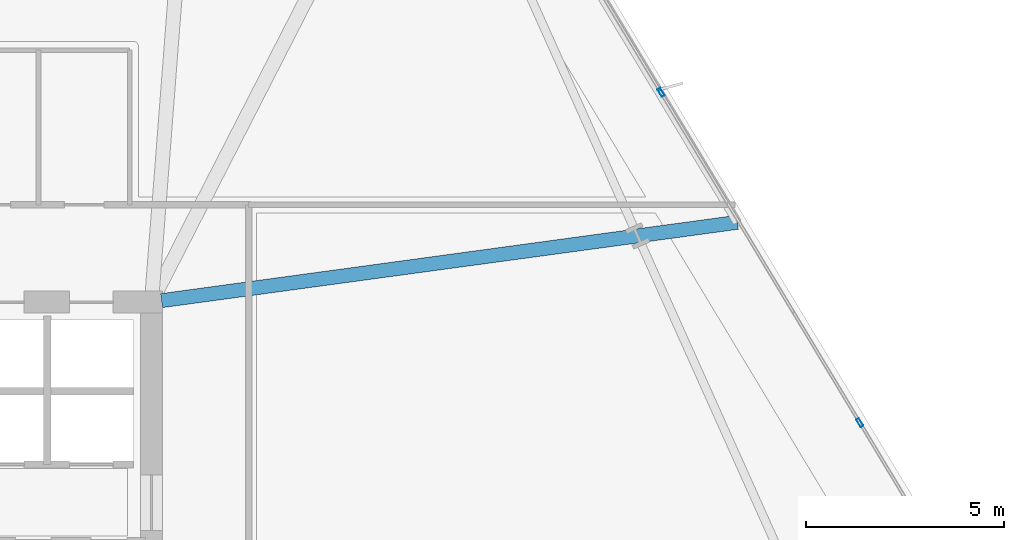
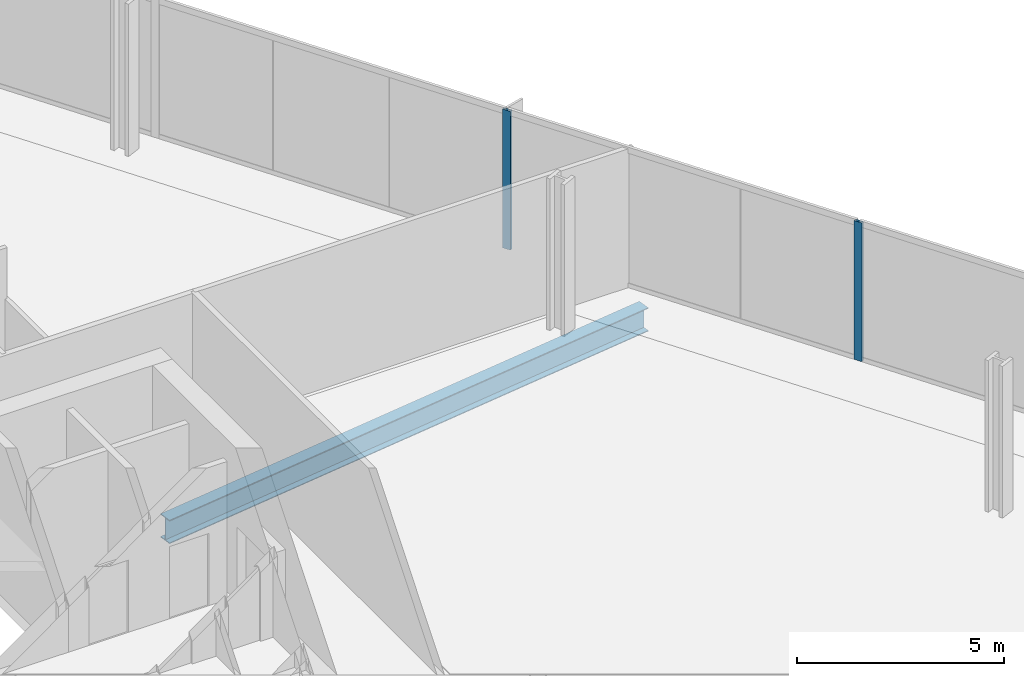
# One storey, part 17 of 30: 2 members, 1 beam, 1 element without a shape of its own.
"""IFC4 building model written with IfcOpenShell, lengths in metres."""

from ifc_helpers import new_model, si_unit, direction, frame, origin, origin_2d, place, context, subcontext, project, spatial, hollow_rectangle, i_section, extrude, material, material_profile, profile_set, type_object, element, aggregate, save


model = new_model("IFC4")

# Units and contexts
model_context = context("Model", 3, precision=1e-05, world=origin(), true_north=direction((0.0, 1.0)))
body_context = subcontext(model_context, "Body", "Model", "MODEL_VIEW")
ifc_project = project(units=[si_unit("LENGTHUNIT", "METRE"), si_unit("AREAUNIT", "SQUARE_METRE"), si_unit("VOLUMEUNIT", "CUBIC_METRE"), si_unit("PLANEANGLEUNIT", "RADIAN"), si_unit("MASSUNIT", "GRAM", prefix="KILO")], contexts=[model_context])

# Site, building, storey
site_placement = place(None, origin())
site = spatial("IfcSite", under=ifc_project, at=site_placement, CompositionType="ELEMENT")
building_placement = place(site_placement, origin())
building = spatial("IfcBuilding", under=site, at=building_placement, Name="Haldenkirk Collegiate Tower", CompositionType="ELEMENT")
storey_placement = place(building_placement, frame((0.0, 0.0, 131.699951171875)))
storey = spatial("IfcBuildingStorey", under=building, at=storey_placement, Name="L32", CompositionType="ELEMENT", Elevation=131.699951171875)

# Beam
ifc_material_1 = material(Name="Steel ASTM A992 Grade 50", Category="steel")
ifc_material_profile_1 = material_profile(ifc_material_1, i_section(OverallWidth=0.35498046875, OverallDepth=0.696044921875, WebThickness=0.015380859375, FlangeThickness=0.02490234375, at=origin_2d()), Name="W27X146")
ifc_profile_set_1 = profile_set([ifc_material_profile_1], Name="Steel ASTM A992 Grade 50")
beam_type = type_object("IfcBeamType", Name="BM-GIRDER-W27X146", PredefinedType="BEAM", material=ifc_profile_set_1)
beam_placement = place(storey_placement, frame((59.7734375, 36.009765625, -0.697998046875), z_axis=(-0.990873607858, -0.134794262676, 0.0), x_axis=(0.134794262676, -0.990873607858, 0.0)))
element("IfcBeam", 1, at=beam_placement, inside=storey, type_object=beam_type, Name="L32 primary floor girder 09", PredefinedType="BEAM", context=body_context, shape_type="SweptSolid", body=[
    extrude(i_section(OverallWidth=0.35498046875, OverallDepth=0.696044921875, WebThickness=0.015380859375, FlangeThickness=0.02490234375, at=origin_2d()), origin(), (0.0, 0.0, 1.0), 14.654541015625),
])

# Curtain wall, members
ifc_material_2 = material(Name="Anodised architectural bronze aluminium", Category="aluminium")
curtain_wall_type = type_object("IfcCurtainWallType", Name="CW-SYS1-CONVEX-LOW", PredefinedType="USERDEFINED", material=ifc_material_2)
curtain_wall_placement = place(storey_placement, origin())
curtain_wall = element("IfcCurtainWall", 2, at=curtain_wall_placement, inside=storey, type_object=curtain_wall_type, Name="L32 Lower tower convex bronze-framed unitised curtain wall", ObjectType="UNITISED CURTAIN WALL", PredefinedType="USERDEFINED")
ifc_material_profile_2 = material_profile(ifc_material_2, hollow_rectangle(XDim=0.080078125, YDim=0.219970703125, WallThickness=0.0048828125, at=origin_2d()), Name="CW-MUL-1A")
ifc_profile_set_2 = profile_set([ifc_material_profile_2], Name="Anodised architectural bronze aluminium")
member_type = type_object("IfcMemberType", Name="CW-MUL-1A", PredefinedType="MULLION", material=ifc_profile_set_2)
member_1_placement = place(storey_placement, frame((57.84814453125, 39.28515625, 0.0), z_axis=(0.0, 0.0, 1.0), x_axis=(0.856719120283, 0.51578323833, 0.0)))
member_1 = element("IfcMember", 3, at=member_1_placement, type_object=member_type, Name="CW-1A mullion 3", PredefinedType="MULLION", context=body_context, shape_type="SweptSolid", body=[
    extrude(hollow_rectangle(XDim=0.080078125, YDim=0.219970703125, WallThickness=0.0048828125, at=origin_2d()), origin(), (0.0, 0.0, 1.0), 4.10009765625),
])
member_2_placement = place(storey_placement, frame((62.861083984375, 30.958740234375, 0.0), z_axis=(0.0, 0.0, 1.0), x_axis=(0.856719120283, 0.51578323833, 0.0)))
member_2 = element("IfcMember", 4, at=member_2_placement, type_object=member_type, Name="CW-1A mullion 4", PredefinedType="MULLION", context=body_context, shape_type="SweptSolid", body=[
    extrude(hollow_rectangle(XDim=0.080078125, YDim=0.219970703125, WallThickness=0.0048828125, at=origin_2d()), origin(), (0.0, 0.0, 1.0), 4.10009765625),
])
aggregate(curtain_wall, [member_1, member_2])

save(model, "model.ifc")
